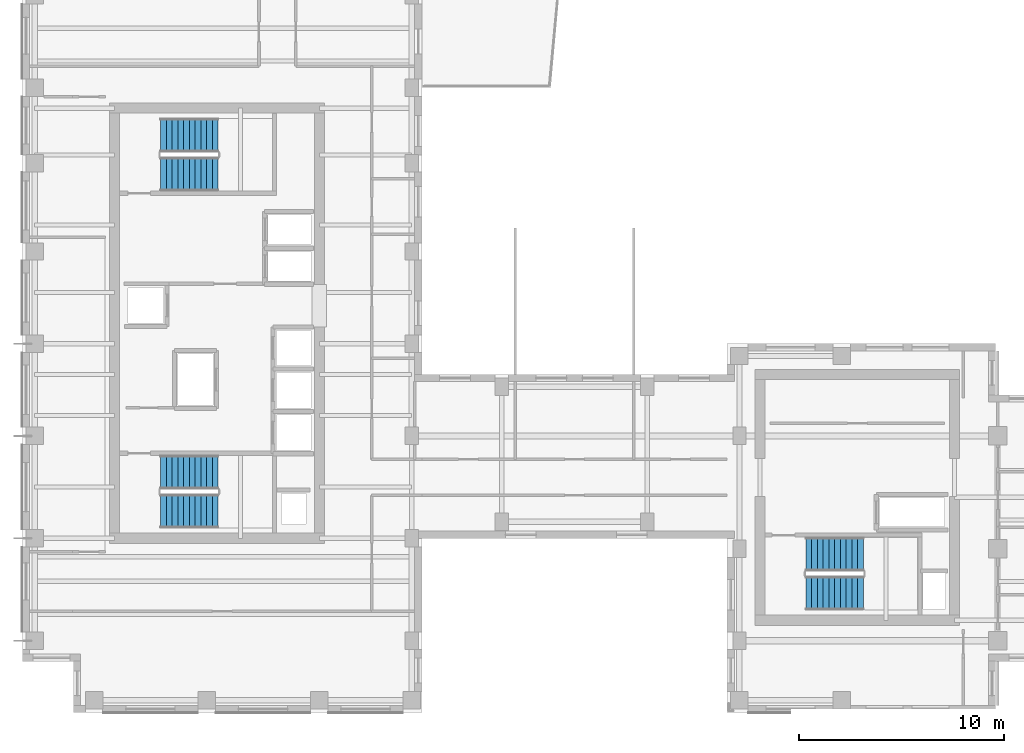
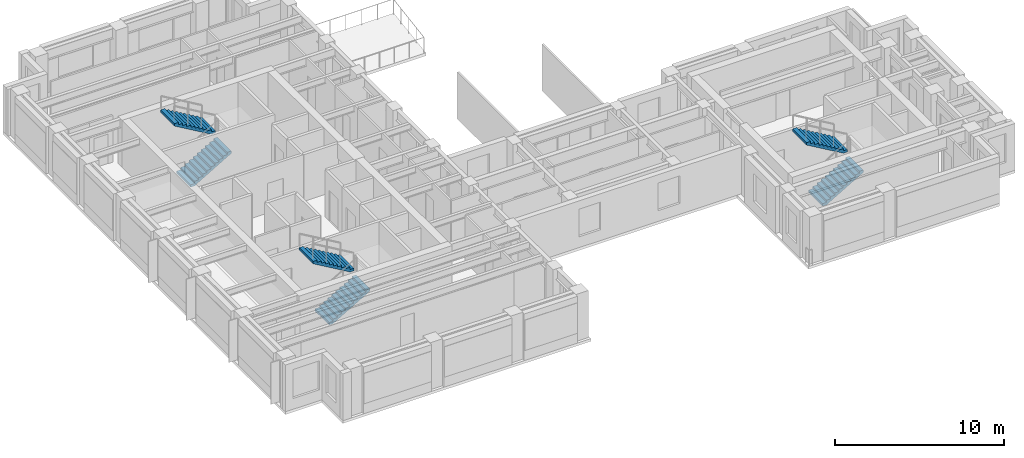
# One storey, part 8 of 10: 6 stair flights, 3 elements without a shape of their own.
"""IFC4 building model written with IfcOpenShell, lengths in metres."""

from ifc_helpers import new_model, si_unit, direction, frame, origin, place, context, subcontext, project, spatial, polyline, outline, extrude, source, transform, mapped, material, type_object, element, aggregate, save


model = new_model("IFC4")

# Units and contexts
model_context = context("Model", 3, precision=1e-05, world=origin(), true_north=direction((0.0, 1.0)))
body_context = subcontext(model_context, "Body", "Model", "MODEL_VIEW")
ifc_project = project(units=[si_unit("LENGTHUNIT", "METRE"), si_unit("AREAUNIT", "SQUARE_METRE"), si_unit("VOLUMEUNIT", "CUBIC_METRE"), si_unit("PLANEANGLEUNIT", "RADIAN"), si_unit("MASSUNIT", "GRAM", prefix="KILO")], contexts=[model_context])

# Site, building, storey
site_placement = place(None, origin())
site = spatial("IfcSite", under=ifc_project, at=site_placement, CompositionType="ELEMENT")
building_placement = place(site_placement, origin())
building = spatial("IfcBuilding", under=site, at=building_placement, Name="Kharzan Plaza Tower", CompositionType="ELEMENT")
storey_placement = place(building_placement, frame((0.0, 0.0, 223.199951171875)))
storey = spatial("IfcBuildingStorey", under=building, at=storey_placement, Name="L60", CompositionType="ELEMENT", Elevation=223.199951171875)

# Stair, stair flights
ifc_material = material(Name="Concrete C40/50", Category="concrete")
stair_type_1 = type_object("IfcStairType", Name="STR-ST-1", PredefinedType="HALF_TURN_STAIR", material=ifc_material)
stair_1_placement = place(storey_placement, origin())
stair_1 = element("IfcStair", 1, at=stair_1_placement, inside=storey, type_object=stair_type_1, Name="L60 Protected Exit Stair ST-1", PredefinedType="HALF_TURN_STAIR")
stair_flight_type = type_object("IfcStairFlightType", Name="SFL-1650-R173", PredefinedType="STRAIGHT", material=ifc_material)
shared_shape = source(origin(), body_context, "Body", "SweptSolid", [
    extrude(outline(polyline([(-0.0029296875, -0.011962890625), (-0.0029296875, 0.0), (0.0, 0.0), (0.0, 0.16357421875), (0.280029296875, 0.16357421875), (0.280029296875, 0.3271484375), (0.56005859375, 0.3271484375), (0.56005859375, 0.49072265625), (0.840087890625, 0.49072265625), (0.840087890625, 0.654296875), (1.1201171875, 0.654296875), (1.1201171875, 0.81787109375), (1.400146484375, 0.81787109375), (1.400146484375, 0.9814453125), (1.68017578125, 0.9814453125), (1.68017578125, 1.14501953125), (1.960205078125, 1.14501953125), (1.960205078125, 1.30859375), (2.240234375, 1.30859375), (2.240234375, 1.47216796875), (2.520263671875, 1.47216796875), (2.520263671875, 1.6357421875), (2.80029296875, 1.6357421875), (2.80029296875, 1.79931640625), (2.80029296875, 1.462158203125), (0.297119140625, 0.0), (0.297119140625, -0.011962890625), (-0.0029296875, -0.011962890625)])), frame((0.0, 0.824951171875, 0.0), z_axis=(0.0, -1.0, 0.0), x_axis=(1.0, 0.0, 0.0)), (0.0, 0.0, 1.0), 1.64990234375),
])
stair_flight_1_placement = place(storey_placement, frame((6.75, 9.824951171875, 0.0), z_axis=(0.0, 0.0, 1.0), x_axis=(1.0, 0.0, 0.0)))
stair_flight_1 = element("IfcStairFlight", 2, at=stair_flight_1_placement, type_object=stair_flight_type, Name="ST-1 flight 1", NumberOfRisers=11, NumberOfTreads=10, PredefinedType="STRAIGHT", RiserHeight=0.163636364, TreadLength=0.28, context=body_context, shape_type="MappedRepresentation", body=[
    mapped(shared_shape, transform((0.0, 0.0, 0.0), x_axis=(1.0, 0.0, 0.0), y_axis=(0.0, 1.0, 0.0), z_axis=(0.0, 0.0, 1.0))),
])
stair_flight_2_placement = place(storey_placement, frame((9.550048828125, 11.72509765625, 1.800048828125), z_axis=(0.0, 0.0, 1.0), x_axis=(-1.0, 0.0, 0.0)))
stair_flight_2 = element("IfcStairFlight", 3, at=stair_flight_2_placement, type_object=stair_flight_type, Name="ST-1 flight 2", NumberOfRisers=11, NumberOfTreads=10, PredefinedType="STRAIGHT", RiserHeight=0.163636364, TreadLength=0.28, context=body_context, shape_type="MappedRepresentation", body=[
    mapped(shared_shape, transform((0.0, 0.0, 0.0), x_axis=(1.0, 0.0, 0.0), y_axis=(0.0, 1.0, 0.0), z_axis=(0.0, 0.0, 1.0))),
])
aggregate(stair_1, [stair_flight_1, stair_flight_2])

stair_type_2 = type_object("IfcStairType", Name="STR-ST-2", PredefinedType="HALF_TURN_STAIR", material=ifc_material)
stair_2_placement = place(storey_placement, origin())
stair_2 = element("IfcStair", 4, at=stair_2_placement, inside=storey, type_object=stair_type_2, Name="L60 Protected Exit Stair ST-2", PredefinedType="HALF_TURN_STAIR")
stair_flight_3_placement = place(storey_placement, frame((6.75, 26.27490234375, 0.0), z_axis=(0.0, 0.0, 1.0), x_axis=(1.0, 0.0, 0.0)))
stair_flight_3 = element("IfcStairFlight", 5, at=stair_flight_3_placement, type_object=stair_flight_type, Name="ST-2 flight 1", NumberOfRisers=11, NumberOfTreads=10, PredefinedType="STRAIGHT", RiserHeight=0.163636364, TreadLength=0.28, context=body_context, shape_type="MappedRepresentation", body=[
    mapped(shared_shape, transform((0.0, 0.0, 0.0), x_axis=(1.0, 0.0, 0.0), y_axis=(0.0, 1.0, 0.0), z_axis=(0.0, 0.0, 1.0))),
])
stair_flight_4_placement = place(storey_placement, frame((9.550048828125, 28.175048828125, 1.800048828125), z_axis=(0.0, 0.0, 1.0), x_axis=(-1.0, 0.0, 0.0)))
stair_flight_4 = element("IfcStairFlight", 6, at=stair_flight_4_placement, type_object=stair_flight_type, Name="ST-2 flight 2", NumberOfRisers=11, NumberOfTreads=10, PredefinedType="STRAIGHT", RiserHeight=0.163636364, TreadLength=0.28, context=body_context, shape_type="MappedRepresentation", body=[
    mapped(shared_shape, transform((0.0, 0.0, 0.0), x_axis=(1.0, 0.0, 0.0), y_axis=(0.0, 1.0, 0.0), z_axis=(0.0, 0.0, 1.0))),
])
aggregate(stair_2, [stair_flight_3, stair_flight_4])

stair_type_3 = type_object("IfcStairType", Name="STR-ST-3", PredefinedType="HALF_TURN_STAIR", material=ifc_material)
stair_3_placement = place(storey_placement, origin())
stair_3 = element("IfcStair", 7, at=stair_3_placement, inside=storey, type_object=stair_type_3, Name="L60 Protected Exit Stair ST-3", PredefinedType="HALF_TURN_STAIR")
stair_flight_5_placement = place(storey_placement, frame((38.25, 5.824951171875, 0.0), z_axis=(0.0, 0.0, 1.0), x_axis=(1.0, 0.0, 0.0)))
stair_flight_5 = element("IfcStairFlight", 8, at=stair_flight_5_placement, type_object=stair_flight_type, Name="ST-3 flight 1", NumberOfRisers=11, NumberOfTreads=10, PredefinedType="STRAIGHT", RiserHeight=0.163636364, TreadLength=0.28, context=body_context, shape_type="MappedRepresentation", body=[
    mapped(shared_shape, transform((0.0, 0.0, 0.0), x_axis=(1.0, 0.0, 0.0), y_axis=(0.0, 1.0, 0.0), z_axis=(0.0, 0.0, 1.0))),
])
stair_flight_6_placement = place(storey_placement, frame((41.050048828125, 7.72509765625, 1.800048828125), z_axis=(0.0, 0.0, 1.0), x_axis=(-1.0, 0.0, 0.0)))
stair_flight_6 = element("IfcStairFlight", 9, at=stair_flight_6_placement, type_object=stair_flight_type, Name="ST-3 flight 2", NumberOfRisers=11, NumberOfTreads=10, PredefinedType="STRAIGHT", RiserHeight=0.163636364, TreadLength=0.28, context=body_context, shape_type="MappedRepresentation", body=[
    mapped(shared_shape, transform((0.0, 0.0, 0.0), x_axis=(1.0, 0.0, 0.0), y_axis=(0.0, 1.0, 0.0), z_axis=(0.0, 0.0, 1.0))),
])
aggregate(stair_3, [stair_flight_5, stair_flight_6])

save(model, "model.ifc")
